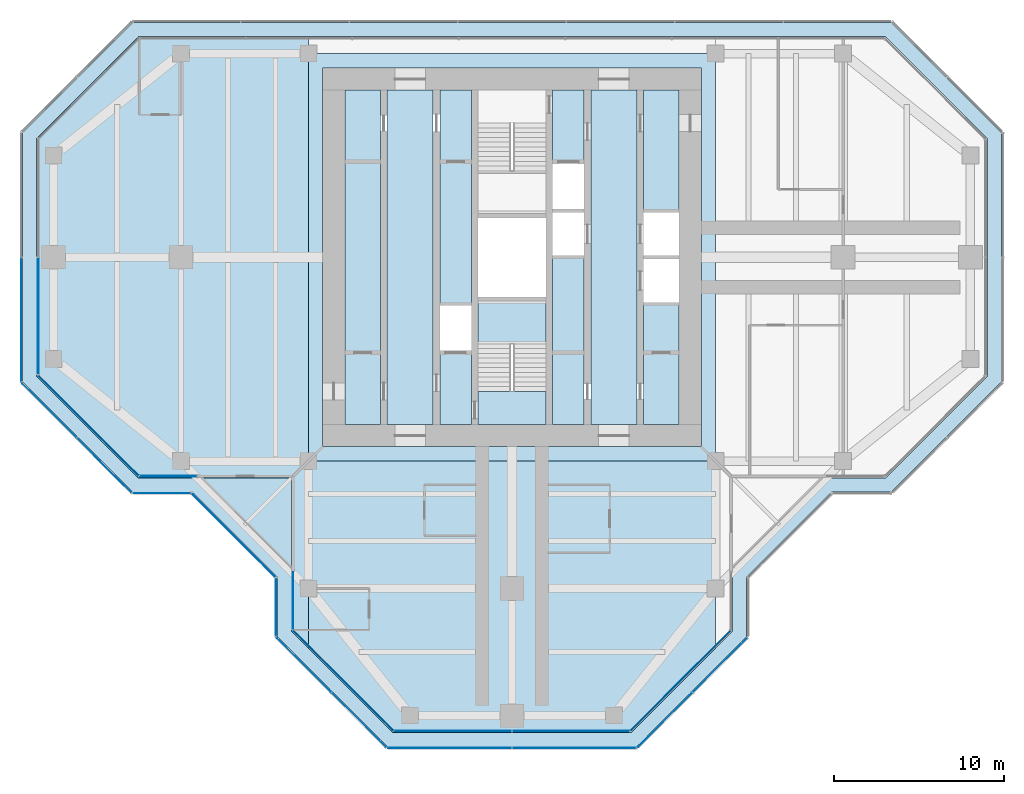
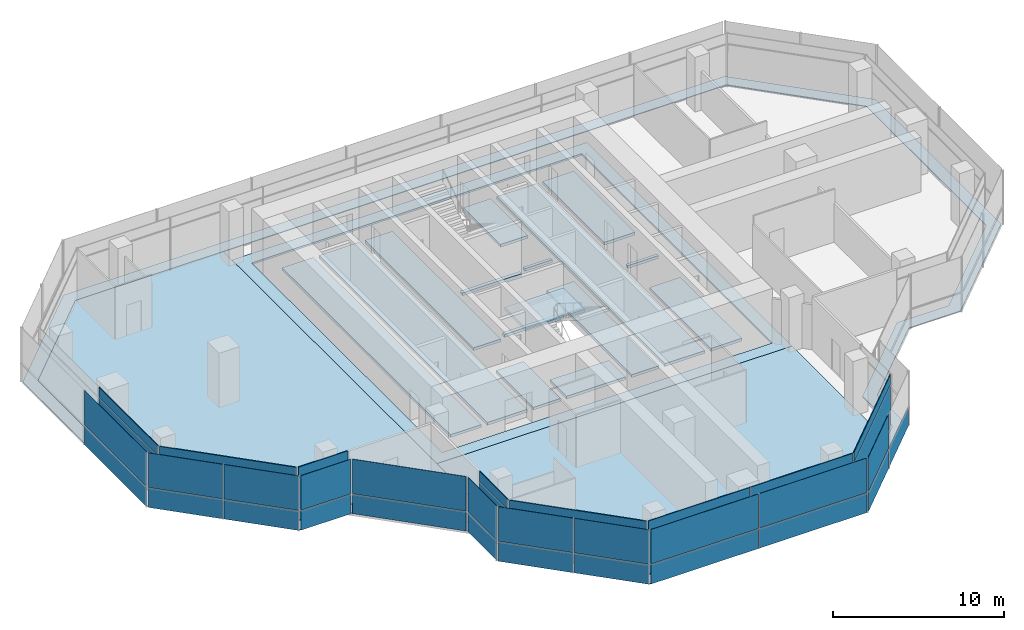
# One storey, part 9 of 15: 40 plates, 7 slabs, 16 elements without a shape of their own.
"""IFC4 building model written with IfcOpenShell, lengths in metres."""

from ifc_helpers import new_model, si_unit, direction, frame, origin, origin_2d, place, context, subcontext, project, spatial, polyline, rectangle, outline, extrude, material, layer, layer_set, type_object, element, aggregate, save


model = new_model("IFC4")

# Units and contexts
model_context = context("Model", 3, precision=1e-05, world=origin(), true_north=direction((0.0, 1.0)))
body_context = subcontext(model_context, "Body", "Model", "MODEL_VIEW")
ifc_project = project(units=[si_unit("LENGTHUNIT", "METRE"), si_unit("AREAUNIT", "SQUARE_METRE"), si_unit("VOLUMEUNIT", "CUBIC_METRE"), si_unit("PLANEANGLEUNIT", "RADIAN"), si_unit("MASSUNIT", "GRAM", prefix="KILO")], contexts=[model_context])

# Site, building, storey
site_placement = place(None, origin())
site = spatial("IfcSite", under=ifc_project, at=site_placement, CompositionType="ELEMENT")
building_placement = place(site_placement, origin())
building = spatial("IfcBuilding", under=site, at=building_placement, Name="Mizan Broadcast Tower", CompositionType="ELEMENT")
storey_placement = place(building_placement, frame((0.0, 0.0, 275.10009765625)))
storey = spatial("IfcBuildingStorey", under=building, at=storey_placement, Name="L65", CompositionType="ELEMENT", Elevation=275.10009765625)

# Plate
ifc_material_1 = material(Name="Aluminium grating", Category="aluminium")
ifc_layer_1 = layer(ifc_material_1, 0.050048828125)
ifc_layer_set_1 = layer_set([ifc_layer_1], Name="Aluminium grating")
plate_type_1 = type_object("IfcPlateType", Name="CAVITY GRATING", PredefinedType="USERDEFINED", material=ifc_layer_set_1)
plate_1_placement = place(storey_placement, frame((0.0, 0.0, -0.050048828125)))
element("IfcPlate", 1, at=plate_1_placement, inside=storey, type_object=plate_type_1, Name="Cavity grating L65", ObjectType="GRATING", PredefinedType="USERDEFINED", context=body_context, shape_type="SweptSolid", body=[
    extrude(outline(polyline([(-22.339599609375, 13.820068359375), (-28.820068359375, 7.339599609375), (-28.820068359375, -7.339599609375), (-22.339599609375, -13.820068359375), (-18.839599609375, -13.820068359375), (-13.820068359375, -18.839599609375), (-13.820068359375, -22.339599609375), (-7.339599609375, -28.820068359375), (7.339599609375, -28.820068359375), (13.820068359375, -22.339599609375), (13.820068359375, -18.839599609375), (18.839599609375, -13.820068359375), (22.339599609375, -13.820068359375), (28.820068359375, -7.339599609375), (28.820068359375, 7.339599609375), (22.339599609375, 13.820068359375), (-22.339599609375, 13.820068359375)]), holes=[polyline([(-18.5, -13.0), (-22.0, -13.0), (-28.0, -7.0), (-28.0, 7.0), (-22.0, 13.0), (22.0, 13.0), (28.0, 7.0), (28.0, -7.0), (22.0, -13.0), (18.5, -13.0), (13.0, -18.5), (13.0, -22.0), (7.0, -28.0), (-7.0, -28.0), (-13.0, -22.0), (-13.0, -18.5), (-18.5, -13.0)])]), origin(), (0.0, 0.0, 1.0), 0.050048828125),
])

# Slabs
ifc_material_2 = material(Name="Concrete C32/40", Category="concrete")
ifc_layer_2 = layer(ifc_material_2, 0.1298828125)
ifc_layer_set_2 = layer_set([ifc_layer_2], Name="Concrete C32/40")
slab_type_1 = type_object("IfcSlabType", Name="COMPOSITE DECK SLAB 130", PredefinedType="FLOOR", material=ifc_layer_set_2)
slab_1_placement = place(storey_placement, frame((0.0, 0.0, -0.130126953125)))
element("IfcSlab", 2, at=slab_1_placement, inside=storey, type_object=slab_type_1, Name="Floor slab L65 centre", PredefinedType="FLOOR", context=body_context, shape_type="SweptSolid", body=[
    extrude(outline(polyline([(-12.0, -12.0), (12.0, -12.0), (12.0, 12.0), (-12.0, 12.0), (-12.0, -12.0)]), holes=[polyline([(-11.14990234375, 11.14990234375), (11.14990234375, 11.14990234375), (11.14990234375, -11.14990234375), (-11.14990234375, -11.14990234375), (-11.14990234375, 11.14990234375)])]), origin(), (0.0, 0.0, 1.0), 0.130126953125),
])
slab_2_placement = place(storey_placement, frame((0.0, 0.0, -0.130126953125)))
element("IfcSlab", 3, at=slab_2_placement, inside=storey, type_object=slab_type_1, Name="Floor slab L65 west arm", PredefinedType="FLOOR", context=body_context, shape_type="SweptSolid", body=[
    extrude(outline(polyline([(-13.0, -22.0), (-12.0, -23.0), (-12.0, 13.0), (-13.0, 13.0), (-22.0, 13.0), (-28.0, 7.0), (-28.0, -7.0), (-22.0, -13.0), (-13.0, -13.0), (-13.0, -22.0)])), origin(), (0.0, 0.0, 1.0), 0.130126953125),
])
slab_3_placement = place(storey_placement, frame((0.0, 0.0, -0.130126953125)))
element("IfcSlab", 4, at=slab_3_placement, inside=storey, type_object=slab_type_1, Name="Floor slab L65 south arm", PredefinedType="FLOOR", context=body_context, shape_type="SweptSolid", body=[
    extrude(outline(polyline([(7.0, -28.0), (12.0, -23.0), (12.0, -12.0), (-12.0, -12.0), (-12.0, -23.0), (-7.0, -28.0), (7.0, -28.0)])), origin(), (0.0, 0.0, 1.0), 0.130126953125),
])
ifc_material_3 = material(Name="Concrete C40/50", Category="concrete")
ifc_layer_3 = layer(ifc_material_3, 0.199951171875)
ifc_layer_set_3 = layer_set([ifc_layer_3], Name="Concrete C40/50")
slab_type_2 = type_object("IfcSlabType", Name="CORE FLOOR 200", PredefinedType="FLOOR", material=ifc_layer_set_3)
slab_4_placement = place(storey_placement, frame((0.0, 0.0, -0.2001953125)))
element("IfcSlab", 5, at=slab_4_placement, inside=storey, type_object=slab_type_2, Name="Core floor L65", PredefinedType="FLOOR", context=body_context, shape_type="SweptSolid", body=[
    extrude(outline(polyline([(-9.85009765625, -9.85009765625), (-7.75, -9.85009765625), (-7.75, 9.85009765625), (-9.85009765625, 9.85009765625), (-9.85009765625, -9.85009765625)])), origin(), (0.0, 0.0, 1.0), 0.2001953125),
    extrude(outline(polyline([(-4.64990234375, 9.85009765625), (-7.35009765625, 9.85009765625), (-7.35009765625, -9.85009765625), (-4.64990234375, -9.85009765625), (-4.64990234375, 9.85009765625)])), origin(), (0.0, 0.0, 1.0), 0.2001953125),
    extrude(outline(polyline([(-4.25, -5.5), (-4.25, -9.85009765625), (-2.39990234375, -9.85009765625), (-2.39990234375, -5.5), (-4.25, -5.5)])), origin(), (0.0, 0.0, 1.0), 0.2001953125),
    extrude(outline(polyline([(-4.25, -2.85009765625), (-2.39990234375, -2.85009765625), (-2.39990234375, 9.85009765625), (-4.25, 9.85009765625), (-4.25, -2.85009765625)])), origin(), (0.0, 0.0, 1.0), 0.2001953125),
    extrude(outline(polyline([(2.0, -2.324951171875), (-2.0, -2.324951171875), (-2.0, -2.574951171875), (2.0, -2.574951171875), (2.0, -2.324951171875)])), origin(), (0.0, 0.0, 1.0), 0.2001953125),
    extrude(outline(polyline([(2.0, 2.574951171875), (-2.0, 2.574951171875), (-2.0, 2.324951171875), (2.0, 2.324951171875), (2.0, 2.574951171875)])), origin(), (0.0, 0.0, 1.0), 0.2001953125),
    extrude(outline(polyline([(4.25, -9.85009765625), (4.25, 0.10009765625), (2.39990234375, 0.10009765625), (2.39990234375, -9.85009765625), (4.25, -9.85009765625)])), origin(), (0.0, 0.0, 1.0), 0.2001953125),
    extrude(outline(polyline([(4.25, 2.64990234375), (4.25, 2.85009765625), (2.39990234375, 2.85009765625), (2.39990234375, 2.64990234375), (4.25, 2.64990234375)])), origin(), (0.0, 0.0, 1.0), 0.2001953125),
    extrude(outline(polyline([(4.25, 5.5), (4.25, 9.85009765625), (2.39990234375, 9.85009765625), (2.39990234375, 5.5), (4.25, 5.5)])), origin(), (0.0, 0.0, 1.0), 0.2001953125),
    extrude(outline(polyline([(4.64990234375, 9.85009765625), (4.64990234375, -9.85009765625), (7.35009765625, -9.85009765625), (7.35009765625, 9.85009765625), (4.64990234375, 9.85009765625)])), origin(), (0.0, 0.0, 1.0), 0.2001953125),
    extrude(outline(polyline([(9.85009765625, -9.85009765625), (9.85009765625, -2.64990234375), (7.75, -2.64990234375), (7.75, -9.85009765625), (9.85009765625, -9.85009765625)])), origin(), (0.0, 0.0, 1.0), 0.2001953125),
    extrude(outline(polyline([(9.85009765625, -0.10009765625), (9.85009765625, 0.10009765625), (7.75, 0.10009765625), (7.75, -0.10009765625), (9.85009765625, -0.10009765625)])), origin(), (0.0, 0.0, 1.0), 0.2001953125),
    extrude(outline(polyline([(7.75, 9.85009765625), (7.75, 2.64990234375), (9.85009765625, 2.64990234375), (9.85009765625, 9.85009765625), (7.75, 9.85009765625)])), origin(), (0.0, 0.0, 1.0), 0.2001953125),
])

# Curtain wall, plate
ifc_material_4 = material(Name="Aluminium framed glazing", Category="aluminium")
curtain_wall_type_1 = type_object("IfcCurtainWallType", Name="INNER SKIN TOP ZONE", PredefinedType="USERDEFINED", material=ifc_material_4)
curtain_wall_1_placement = place(storey_placement, origin())
curtain_wall_1 = element("IfcCurtainWall", 6, at=curtain_wall_1_placement, inside=storey, type_object=curtain_wall_type_1, Name="Inner skin top zone L65 W end", ObjectType="INNER SKIN TOP ZONE", PredefinedType="USERDEFINED")
ifc_material_5 = material(Name="Double glazing, clear low-e", Category="glass")
ifc_layer_4 = layer(ifc_material_5, 0.028076171875)
ifc_layer_set_4 = layer_set([ifc_layer_4], Name="Double glazing, clear low-e")
plate_type_2 = type_object("IfcPlateType", Name="INNER SKIN GLAZING UNIT", PredefinedType="CURTAIN_PANEL", material=ifc_layer_set_4)
plate_2_placement = place(storey_placement, frame((-27.89990234375, -3.46435546875, 0.0), z_axis=(0.0, 0.0, 1.0), x_axis=(0.0, -1.0, 0.0)))
plate_2 = element("IfcPlate", 7, at=plate_2_placement, type_object=plate_type_2, Name="Inner skin top zone L65 W end panel 2.1", PredefinedType="CURTAIN_PANEL", context=body_context, shape_type="SweptSolid", body=[
    extrude(rectangle(XDim=6.86865234375, YDim=0.028076171875, at=origin_2d()), origin(), (0.0, 0.0, 1.0), 3.0),
])

curtain_wall_2_placement = place(storey_placement, origin())
curtain_wall_2 = element("IfcCurtainWall", 8, at=curtain_wall_2_placement, inside=storey, type_object=curtain_wall_type_1, Name="Inner skin top zone L65 W chamfer", ObjectType="INNER SKIN TOP ZONE", PredefinedType="USERDEFINED")
plate_3_placement = place(storey_placement, frame((-24.92919921875, -9.92919921875, 0.0), z_axis=(0.0, 0.0, 1.0), x_axis=(0.707106781187, -0.707106781187, 0.0)))
plate_3 = element("IfcPlate", 9, at=plate_3_placement, type_object=plate_type_2, Name="Inner skin top zone L65 W chamfer panel 1.1", PredefinedType="CURTAIN_PANEL", context=body_context, shape_type="SweptSolid", body=[
    extrude(rectangle(XDim=8.282470703125, YDim=0.028076171875, at=origin_2d()), origin(), (0.0, 0.0, 1.0), 3.0),
])

curtain_wall_3_placement = place(storey_placement, origin())
curtain_wall_3 = element("IfcCurtainWall", 10, at=curtain_wall_3_placement, inside=storey, type_object=curtain_wall_type_1, Name="Inner skin top zone L65 W side", ObjectType="INNER SKIN TOP ZONE", PredefinedType="USERDEFINED")
plate_4_placement = place(storey_placement, frame((-20.229248046875, -12.89990234375, 0.0), z_axis=(0.0, 0.0, 1.0), x_axis=(1.0, 0.0, 0.0)))
plate_4 = element("IfcPlate", 11, at=plate_4_placement, type_object=plate_type_2, Name="Inner skin top zone L65 W side panel 1.1", PredefinedType="CURTAIN_PANEL", context=body_context, shape_type="SweptSolid", body=[
    extrude(rectangle(XDim=3.338623046875, YDim=0.028076171875, at=origin_2d()), origin(), (0.0, 0.0, 1.0), 3.0),
])

curtain_wall_4_placement = place(storey_placement, origin())
curtain_wall_4 = element("IfcCurtainWall", 12, at=curtain_wall_4_placement, inside=storey, type_object=curtain_wall_type_1, Name="Inner skin top zone L65 S side", ObjectType="INNER SKIN TOP ZONE", PredefinedType="USERDEFINED")
plate_5_placement = place(storey_placement, frame((-12.89990234375, -20.229248046875, 0.0), z_axis=(0.0, 0.0, 1.0), x_axis=(0.0, -1.0, 0.0)))
plate_5 = element("IfcPlate", 13, at=plate_5_placement, type_object=plate_type_2, Name="Inner skin top zone L65 S side panel 1.1", PredefinedType="CURTAIN_PANEL", context=body_context, shape_type="SweptSolid", body=[
    extrude(rectangle(XDim=3.338623046875, YDim=0.028076171875, at=origin_2d()), origin(), (0.0, 0.0, 1.0), 3.0),
])

curtain_wall_5_placement = place(storey_placement, origin())
curtain_wall_5 = element("IfcCurtainWall", 14, at=curtain_wall_5_placement, inside=storey, type_object=curtain_wall_type_1, Name="Inner skin top zone L65 S chamfer", ObjectType="INNER SKIN TOP ZONE", PredefinedType="USERDEFINED")
plate_6_placement = place(storey_placement, frame((-9.92919921875, -24.92919921875, 0.0), z_axis=(0.0, 0.0, 1.0), x_axis=(0.707106781187, -0.707106781187, 0.0)))
plate_6 = element("IfcPlate", 15, at=plate_6_placement, type_object=plate_type_2, Name="Inner skin top zone L65 S chamfer panel 1.1", PredefinedType="CURTAIN_PANEL", context=body_context, shape_type="SweptSolid", body=[
    extrude(rectangle(XDim=8.282470703125, YDim=0.028076171875, at=origin_2d()), origin(), (0.0, 0.0, 1.0), 3.0),
])

# Curtain wall, plates
curtain_wall_6_placement = place(storey_placement, origin())
curtain_wall_6 = element("IfcCurtainWall", 16, at=curtain_wall_6_placement, inside=storey, type_object=curtain_wall_type_1, Name="Inner skin top zone L65 S end", ObjectType="INNER SKIN TOP ZONE", PredefinedType="USERDEFINED")
plate_7_placement = place(storey_placement, frame((-3.46435546875, -27.89990234375, 0.0), z_axis=(0.0, 0.0, 1.0), x_axis=(1.0, 0.0, 0.0)))
plate_7 = element("IfcPlate", 17, at=plate_7_placement, type_object=plate_type_2, Name="Inner skin top zone L65 S end panel 1.1", PredefinedType="CURTAIN_PANEL", context=body_context, shape_type="SweptSolid", body=[
    extrude(rectangle(XDim=6.86865234375, YDim=0.028076171875, at=origin_2d()), origin(), (0.0, 0.0, 1.0), 3.0),
])
plate_8_placement = place(storey_placement, frame((3.46435546875, -27.89990234375, 0.0), z_axis=(0.0, 0.0, 1.0), x_axis=(1.0, 0.0, 0.0)))
plate_8 = element("IfcPlate", 18, at=plate_8_placement, type_object=plate_type_2, Name="Inner skin top zone L65 S end panel 2.1", PredefinedType="CURTAIN_PANEL", context=body_context, shape_type="SweptSolid", body=[
    extrude(rectangle(XDim=6.86865234375, YDim=0.028076171875, at=origin_2d()), origin(), (0.0, 0.0, 1.0), 3.0),
])

# Curtain wall, plate
curtain_wall_7_placement = place(storey_placement, origin())
curtain_wall_7 = element("IfcCurtainWall", 19, at=curtain_wall_7_placement, inside=storey, type_object=curtain_wall_type_1, Name="Inner skin top zone L65 S chamfer", ObjectType="INNER SKIN TOP ZONE", PredefinedType="USERDEFINED")
plate_9_placement = place(storey_placement, frame((9.92919921875, -24.92919921875, 0.0), z_axis=(0.0, 0.0, 1.0), x_axis=(0.707106781187, 0.707106781187, 0.0)))
plate_9 = element("IfcPlate", 20, at=plate_9_placement, type_object=plate_type_2, Name="Inner skin top zone L65 S chamfer panel 1.1", PredefinedType="CURTAIN_PANEL", context=body_context, shape_type="SweptSolid", body=[
    extrude(rectangle(XDim=8.282470703125, YDim=0.028076171875, at=origin_2d()), origin(), (0.0, 0.0, 1.0), 3.0),
])

# Plate
ifc_material_6 = material(Name="Insulated aluminium spandrel panel, pale anodised", Category="aluminium")
ifc_layer_5 = layer(ifc_material_6, 0.050048828125)
ifc_layer_set_5 = layer_set([ifc_layer_5], Name="Insulated aluminium spandrel panel, pale anodised")
plate_type_3 = type_object("IfcPlateType", Name="INNER SKIN SPANDREL PANEL", PredefinedType="CURTAIN_PANEL", material=ifc_layer_set_5)
plate_10_placement = place(storey_placement, frame((-27.89990234375, -3.46435546875, 3.059814453125), z_axis=(0.0, 0.0, 1.0), x_axis=(0.0, -1.0, 0.0)))
plate_10 = element("IfcPlate", 21, at=plate_10_placement, type_object=plate_type_3, Name="Inner skin top zone L65 W end panel 2.2", PredefinedType="CURTAIN_PANEL", context=body_context, shape_type="SweptSolid", body=[
    extrude(rectangle(XDim=6.86865234375, YDim=0.050048828125, at=origin_2d()), origin(), (0.0, 0.0, 1.0), 0.7099609375),
])

aggregate(curtain_wall_1, [plate_2, plate_10])

plate_11_placement = place(storey_placement, frame((-24.92919921875, -9.92919921875, 3.059814453125), z_axis=(0.0, 0.0, 1.0), x_axis=(0.707106781187, -0.707106781187, 0.0)))
plate_11 = element("IfcPlate", 22, at=plate_11_placement, type_object=plate_type_3, Name="Inner skin top zone L65 W chamfer panel 1.2", PredefinedType="CURTAIN_PANEL", context=body_context, shape_type="SweptSolid", body=[
    extrude(rectangle(XDim=8.282470703125, YDim=0.050048828125, at=origin_2d()), origin(), (0.0, 0.0, 1.0), 0.7099609375),
])

aggregate(curtain_wall_2, [plate_3, plate_11])

plate_12_placement = place(storey_placement, frame((-20.229248046875, -12.89990234375, 3.059814453125), z_axis=(0.0, 0.0, 1.0), x_axis=(1.0, 0.0, 0.0)))
plate_12 = element("IfcPlate", 23, at=plate_12_placement, type_object=plate_type_3, Name="Inner skin top zone L65 W side panel 1.2", PredefinedType="CURTAIN_PANEL", context=body_context, shape_type="SweptSolid", body=[
    extrude(rectangle(XDim=3.338623046875, YDim=0.050048828125, at=origin_2d()), origin(), (0.0, 0.0, 1.0), 0.7099609375),
])

aggregate(curtain_wall_3, [plate_4, plate_12])

plate_13_placement = place(storey_placement, frame((-12.89990234375, -20.229248046875, 3.059814453125), z_axis=(0.0, 0.0, 1.0), x_axis=(0.0, -1.0, 0.0)))
plate_13 = element("IfcPlate", 24, at=plate_13_placement, type_object=plate_type_3, Name="Inner skin top zone L65 S side panel 1.2", PredefinedType="CURTAIN_PANEL", context=body_context, shape_type="SweptSolid", body=[
    extrude(rectangle(XDim=3.338623046875, YDim=0.050048828125, at=origin_2d()), origin(), (0.0, 0.0, 1.0), 0.7099609375),
])

aggregate(curtain_wall_4, [plate_5, plate_13])

plate_14_placement = place(storey_placement, frame((-9.92919921875, -24.92919921875, 3.059814453125), z_axis=(0.0, 0.0, 1.0), x_axis=(0.707106781187, -0.707106781187, 0.0)))
plate_14 = element("IfcPlate", 25, at=plate_14_placement, type_object=plate_type_3, Name="Inner skin top zone L65 S chamfer panel 1.2", PredefinedType="CURTAIN_PANEL", context=body_context, shape_type="SweptSolid", body=[
    extrude(rectangle(XDim=8.282470703125, YDim=0.050048828125, at=origin_2d()), origin(), (0.0, 0.0, 1.0), 0.7099609375),
])

aggregate(curtain_wall_5, [plate_6, plate_14])

plate_15_placement = place(storey_placement, frame((-3.46435546875, -27.89990234375, 3.059814453125), z_axis=(0.0, 0.0, 1.0), x_axis=(1.0, 0.0, 0.0)))
plate_15 = element("IfcPlate", 26, at=plate_15_placement, type_object=plate_type_3, Name="Inner skin top zone L65 S end panel 1.2", PredefinedType="CURTAIN_PANEL", context=body_context, shape_type="SweptSolid", body=[
    extrude(rectangle(XDim=6.86865234375, YDim=0.050048828125, at=origin_2d()), origin(), (0.0, 0.0, 1.0), 0.7099609375),
])

plate_16_placement = place(storey_placement, frame((3.46435546875, -27.89990234375, 3.059814453125), z_axis=(0.0, 0.0, 1.0), x_axis=(1.0, 0.0, 0.0)))
plate_16 = element("IfcPlate", 27, at=plate_16_placement, type_object=plate_type_3, Name="Inner skin top zone L65 S end panel 2.2", PredefinedType="CURTAIN_PANEL", context=body_context, shape_type="SweptSolid", body=[
    extrude(rectangle(XDim=6.86865234375, YDim=0.050048828125, at=origin_2d()), origin(), (0.0, 0.0, 1.0), 0.7099609375),
])

aggregate(curtain_wall_6, [plate_7, plate_15, plate_8, plate_16])

plate_17_placement = place(storey_placement, frame((9.92919921875, -24.92919921875, 3.059814453125), z_axis=(0.0, 0.0, 1.0), x_axis=(0.707106781187, 0.707106781187, 0.0)))
plate_17 = element("IfcPlate", 28, at=plate_17_placement, type_object=plate_type_3, Name="Inner skin top zone L65 S chamfer panel 1.2", PredefinedType="CURTAIN_PANEL", context=body_context, shape_type="SweptSolid", body=[
    extrude(rectangle(XDim=8.282470703125, YDim=0.050048828125, at=origin_2d()), origin(), (0.0, 0.0, 1.0), 0.7099609375),
])

aggregate(curtain_wall_7, [plate_9, plate_17])

# Curtain wall, plates
ifc_material_7 = material(Name="Aluminium framed glazing", Category="aluminium")
curtain_wall_type_2 = type_object("IfcCurtainWallType", Name="OUTER SKIN", PredefinedType="USERDEFINED", material=ifc_material_7)
curtain_wall_8_placement = place(storey_placement, origin())
curtain_wall_8 = element("IfcCurtainWall", 29, at=curtain_wall_8_placement, inside=storey, type_object=curtain_wall_type_2, Name="Outer skin L65 W chamfer", ObjectType="OUTER SKIN", PredefinedType="USERDEFINED")
ifc_material_8 = material(Name="Laminated clear glass", Category="glass")
ifc_layer_6 = layer(ifc_material_8, 0.02001953125)
ifc_layer_set_6 = layer_set([ifc_layer_6], Name="Laminated clear glass")
plate_type_4 = type_object("IfcPlateType", Name="OUTER SKIN CLEAR GLASS", PredefinedType="CURTAIN_PANEL", material=ifc_layer_set_6)
plate_18_placement = place(storey_placement, frame((-27.254150390625, -9.018798828125, -0.000244140625), z_axis=(0.0, 0.0, 1.0), x_axis=(0.707106781187, -0.707106781187, 0.0)))
plate_18 = element("IfcPlate", 30, at=plate_18_placement, type_object=plate_type_4, Name="Outer skin L65 W chamfer panel 1.1", PredefinedType="CURTAIN_PANEL", context=body_context, shape_type="SweptSolid", body=[
    extrude(rectangle(XDim=4.495361328125, YDim=0.02001953125, at=origin_2d()), origin(), (0.0, 0.0, 1.0), 1.3701171875),
])
plate_19_placement = place(storey_placement, frame((-27.254150390625, -9.018798828125, 1.4296875), z_axis=(0.0, 0.0, 1.0), x_axis=(0.707106781187, -0.707106781187, 0.0)))
plate_19 = element("IfcPlate", 31, at=plate_19_placement, type_object=plate_type_4, Name="Outer skin L65 W chamfer panel 1.2", PredefinedType="CURTAIN_PANEL", context=body_context, shape_type="SweptSolid", body=[
    extrude(rectangle(XDim=4.495361328125, YDim=0.02001953125, at=origin_2d()), origin(), (0.0, 0.0, 1.0), 2.469970703125),
])

curtain_wall_9_placement = place(storey_placement, origin())
curtain_wall_9 = element("IfcCurtainWall", 32, at=curtain_wall_9_placement, inside=storey, type_object=curtain_wall_type_2, Name="Outer skin L65 W side", ObjectType="OUTER SKIN", PredefinedType="USERDEFINED")
plate_20_placement = place(storey_placement, frame((-20.622802734375, -13.89990234375, -0.000244140625), z_axis=(0.0, 0.0, 1.0), x_axis=(1.0, 0.0, 0.0)))
plate_20 = element("IfcPlate", 33, at=plate_20_placement, type_object=plate_type_4, Name="Outer skin L65 W side panel 1.1", PredefinedType="CURTAIN_PANEL", context=body_context, shape_type="SweptSolid", body=[
    extrude(rectangle(XDim=3.340087890625, YDim=0.02001953125, at=origin_2d()), origin(), (0.0, 0.0, 1.0), 1.3701171875),
])
plate_21_placement = place(storey_placement, frame((-20.622802734375, -13.89990234375, 1.4296875), z_axis=(0.0, 0.0, 1.0), x_axis=(1.0, 0.0, 0.0)))
plate_21 = element("IfcPlate", 34, at=plate_21_placement, type_object=plate_type_4, Name="Outer skin L65 W side panel 1.2", PredefinedType="CURTAIN_PANEL", context=body_context, shape_type="SweptSolid", body=[
    extrude(rectangle(XDim=3.340087890625, YDim=0.02001953125, at=origin_2d()), origin(), (0.0, 0.0, 1.0), 2.469970703125),
])
aggregate(curtain_wall_9, [plate_20, plate_21])

curtain_wall_10_placement = place(storey_placement, origin())
curtain_wall_10 = element("IfcCurtainWall", 35, at=curtain_wall_10_placement, inside=storey, type_object=curtain_wall_type_2, Name="Outer skin L65 W chamfer", ObjectType="OUTER SKIN", PredefinedType="USERDEFINED")
plate_22_placement = place(storey_placement, frame((-16.386474609375, -16.386474609375, -0.000244140625), z_axis=(0.0, 0.0, 1.0), x_axis=(0.707106781187, -0.707106781187, 0.0)))
plate_22 = element("IfcPlate", 36, at=plate_22_placement, type_object=plate_type_4, Name="Outer skin L65 W chamfer panel 1.1", PredefinedType="CURTAIN_PANEL", context=body_context, shape_type="SweptSolid", body=[
    extrude(rectangle(XDim=6.87255859375, YDim=0.02001953125, at=origin_2d()), origin(), (0.0, 0.0, 1.0), 1.3701171875),
])
plate_23_placement = place(storey_placement, frame((-16.386474609375, -16.386474609375, 1.4296875), z_axis=(0.0, 0.0, 1.0), x_axis=(0.707106781187, -0.707106781187, 0.0)))
plate_23 = element("IfcPlate", 37, at=plate_23_placement, type_object=plate_type_4, Name="Outer skin L65 W chamfer panel 1.2", PredefinedType="CURTAIN_PANEL", context=body_context, shape_type="SweptSolid", body=[
    extrude(rectangle(XDim=6.87255859375, YDim=0.02001953125, at=origin_2d()), origin(), (0.0, 0.0, 1.0), 2.469970703125),
])
aggregate(curtain_wall_10, [plate_22, plate_23])

curtain_wall_11_placement = place(storey_placement, origin())
curtain_wall_11 = element("IfcCurtainWall", 38, at=curtain_wall_11_placement, inside=storey, type_object=curtain_wall_type_2, Name="Outer skin L65 S side", ObjectType="OUTER SKIN", PredefinedType="USERDEFINED")
plate_24_placement = place(storey_placement, frame((-13.89990234375, -20.622802734375, -0.000244140625), z_axis=(0.0, 0.0, 1.0), x_axis=(0.0, -1.0, 0.0)))
plate_24 = element("IfcPlate", 39, at=plate_24_placement, type_object=plate_type_4, Name="Outer skin L65 S side panel 1.1", PredefinedType="CURTAIN_PANEL", context=body_context, shape_type="SweptSolid", body=[
    extrude(rectangle(XDim=3.340087890625, YDim=0.02001953125, at=origin_2d()), origin(), (0.0, 0.0, 1.0), 1.3701171875),
])
plate_25_placement = place(storey_placement, frame((-13.89990234375, -20.622802734375, 1.4296875), z_axis=(0.0, 0.0, 1.0), x_axis=(0.0, -1.0, 0.0)))
plate_25 = element("IfcPlate", 40, at=plate_25_placement, type_object=plate_type_4, Name="Outer skin L65 S side panel 1.2", PredefinedType="CURTAIN_PANEL", context=body_context, shape_type="SweptSolid", body=[
    extrude(rectangle(XDim=3.340087890625, YDim=0.02001953125, at=origin_2d()), origin(), (0.0, 0.0, 1.0), 2.469970703125),
])
aggregate(curtain_wall_11, [plate_24, plate_25])

curtain_wall_12_placement = place(storey_placement, origin())
curtain_wall_12 = element("IfcCurtainWall", 41, at=curtain_wall_12_placement, inside=storey, type_object=curtain_wall_type_2, Name="Outer skin L65 S chamfer", ObjectType="OUTER SKIN", PredefinedType="USERDEFINED")
plate_26_placement = place(storey_placement, frame((-12.254150390625, -24.018798828125, -0.000244140625), z_axis=(0.0, 0.0, 1.0), x_axis=(0.707106781187, -0.707106781187, 0.0)))
plate_26 = element("IfcPlate", 42, at=plate_26_placement, type_object=plate_type_4, Name="Outer skin L65 S chamfer panel 1.1", PredefinedType="CURTAIN_PANEL", context=body_context, shape_type="SweptSolid", body=[
    extrude(rectangle(XDim=4.495361328125, YDim=0.02001953125, at=origin_2d()), origin(), (0.0, 0.0, 1.0), 1.3701171875),
])
plate_27_placement = place(storey_placement, frame((-12.254150390625, -24.018798828125, 1.4296875), z_axis=(0.0, 0.0, 1.0), x_axis=(0.707106781187, -0.707106781187, 0.0)))
plate_27 = element("IfcPlate", 43, at=plate_27_placement, type_object=plate_type_4, Name="Outer skin L65 S chamfer panel 1.2", PredefinedType="CURTAIN_PANEL", context=body_context, shape_type="SweptSolid", body=[
    extrude(rectangle(XDim=4.495361328125, YDim=0.02001953125, at=origin_2d()), origin(), (0.0, 0.0, 1.0), 2.469970703125),
])

curtain_wall_13_placement = place(storey_placement, origin())
curtain_wall_13 = element("IfcCurtainWall", 44, at=curtain_wall_13_placement, inside=storey, type_object=curtain_wall_type_2, Name="Outer skin L65 S end", ObjectType="OUTER SKIN", PredefinedType="USERDEFINED")
plate_28_placement = place(storey_placement, frame((-3.66650390625, -28.89990234375, -0.000244140625), z_axis=(0.0, 0.0, 1.0), x_axis=(1.0, 0.0, 0.0)))
plate_28 = element("IfcPlate", 45, at=plate_28_placement, type_object=plate_type_4, Name="Outer skin L65 S end panel 1.1", PredefinedType="CURTAIN_PANEL", context=body_context, shape_type="SweptSolid", body=[
    extrude(rectangle(XDim=7.252685546875, YDim=0.02001953125, at=origin_2d()), origin(), (0.0, 0.0, 1.0), 1.3701171875),
])
plate_29_placement = place(storey_placement, frame((-3.66650390625, -28.89990234375, 1.4296875), z_axis=(0.0, 0.0, 1.0), x_axis=(1.0, 0.0, 0.0)))
plate_29 = element("IfcPlate", 46, at=plate_29_placement, type_object=plate_type_4, Name="Outer skin L65 S end panel 1.2", PredefinedType="CURTAIN_PANEL", context=body_context, shape_type="SweptSolid", body=[
    extrude(rectangle(XDim=7.252685546875, YDim=0.02001953125, at=origin_2d()), origin(), (0.0, 0.0, 1.0), 2.469970703125),
])

curtain_wall_14_placement = place(storey_placement, origin())
curtain_wall_14 = element("IfcCurtainWall", 47, at=curtain_wall_14_placement, inside=storey, type_object=curtain_wall_type_2, Name="Outer skin L65 S chamfer", ObjectType="OUTER SKIN", PredefinedType="USERDEFINED")
plate_30_placement = place(storey_placement, frame((9.018798828125, -27.254150390625, -0.000244140625), z_axis=(0.0, 0.0, 1.0), x_axis=(0.707106781187, 0.707106781187, 0.0)))
plate_30 = element("IfcPlate", 48, at=plate_30_placement, type_object=plate_type_4, Name="Outer skin L65 S chamfer panel 1.1", PredefinedType="CURTAIN_PANEL", context=body_context, shape_type="SweptSolid", body=[
    extrude(rectangle(XDim=4.495361328125, YDim=0.02001953125, at=origin_2d()), origin(), (0.0, 0.0, 1.0), 1.3701171875),
])
plate_31_placement = place(storey_placement, frame((9.018798828125, -27.254150390625, 1.4296875), z_axis=(0.0, 0.0, 1.0), x_axis=(0.707106781187, 0.707106781187, 0.0)))
plate_31 = element("IfcPlate", 49, at=plate_31_placement, type_object=plate_type_4, Name="Outer skin L65 S chamfer panel 1.2", PredefinedType="CURTAIN_PANEL", context=body_context, shape_type="SweptSolid", body=[
    extrude(rectangle(XDim=4.495361328125, YDim=0.02001953125, at=origin_2d()), origin(), (0.0, 0.0, 1.0), 2.469970703125),
])

# Plate
ifc_material_9 = material(Name="Perforated aluminium, pale anodised", Category="aluminium")
ifc_layer_7 = layer(ifc_material_9, 0.011962890625)
ifc_layer_set_7 = layer_set([ifc_layer_7], Name="Perforated aluminium, pale anodised")
plate_type_5 = type_object("IfcPlateType", Name="OUTER SKIN PERFORATED SCREEN", PredefinedType="USERDEFINED", material=ifc_layer_set_7)
plate_32_placement = place(storey_placement, frame((-24.018798828125, -12.254150390625, -0.000244140625), z_axis=(0.0, 0.0, 1.0), x_axis=(0.707106781187, -0.707106781187, 0.0)))
plate_32 = element("IfcPlate", 50, at=plate_32_placement, type_object=plate_type_5, Name="Outer skin L65 W chamfer panel 2.1", ObjectType="SCREEN", PredefinedType="USERDEFINED", context=body_context, shape_type="SweptSolid", body=[
    extrude(rectangle(XDim=4.495361328125, YDim=0.011962890625, at=origin_2d()), origin(), (0.0, 0.0, 1.0), 1.3701171875),
])

plate_33_placement = place(storey_placement, frame((-24.018798828125, -12.254150390625, 1.4296875), z_axis=(0.0, 0.0, 1.0), x_axis=(0.707106781187, -0.707106781187, 0.0)))
plate_33 = element("IfcPlate", 51, at=plate_33_placement, type_object=plate_type_5, Name="Outer skin L65 W chamfer panel 2.2", ObjectType="SCREEN", PredefinedType="USERDEFINED", context=body_context, shape_type="SweptSolid", body=[
    extrude(rectangle(XDim=4.495361328125, YDim=0.011962890625, at=origin_2d()), origin(), (0.0, 0.0, 1.0), 2.469970703125),
])

aggregate(curtain_wall_8, [plate_18, plate_19, plate_32, plate_33])

plate_34_placement = place(storey_placement, frame((-9.018798828125, -27.254150390625, -0.000244140625), z_axis=(0.0, 0.0, 1.0), x_axis=(0.707106781187, -0.707106781187, 0.0)))
plate_34 = element("IfcPlate", 52, at=plate_34_placement, type_object=plate_type_5, Name="Outer skin L65 S chamfer panel 2.1", ObjectType="SCREEN", PredefinedType="USERDEFINED", context=body_context, shape_type="SweptSolid", body=[
    extrude(rectangle(XDim=4.495361328125, YDim=0.011962890625, at=origin_2d()), origin(), (0.0, 0.0, 1.0), 1.3701171875),
])

plate_35_placement = place(storey_placement, frame((-9.018798828125, -27.254150390625, 1.4296875), z_axis=(0.0, 0.0, 1.0), x_axis=(0.707106781187, -0.707106781187, 0.0)))
plate_35 = element("IfcPlate", 53, at=plate_35_placement, type_object=plate_type_5, Name="Outer skin L65 S chamfer panel 2.2", ObjectType="SCREEN", PredefinedType="USERDEFINED", context=body_context, shape_type="SweptSolid", body=[
    extrude(rectangle(XDim=4.495361328125, YDim=0.011962890625, at=origin_2d()), origin(), (0.0, 0.0, 1.0), 2.469970703125),
])

aggregate(curtain_wall_12, [plate_26, plate_27, plate_34, plate_35])

plate_36_placement = place(storey_placement, frame((3.66650390625, -28.89990234375, -0.000244140625), z_axis=(0.0, 0.0, 1.0), x_axis=(1.0, 0.0, 0.0)))
plate_36 = element("IfcPlate", 54, at=plate_36_placement, type_object=plate_type_5, Name="Outer skin L65 S end panel 2.1", ObjectType="SCREEN", PredefinedType="USERDEFINED", context=body_context, shape_type="SweptSolid", body=[
    extrude(rectangle(XDim=7.252685546875, YDim=0.011962890625, at=origin_2d()), origin(), (0.0, 0.0, 1.0), 1.3701171875),
])

plate_37_placement = place(storey_placement, frame((3.66650390625, -28.89990234375, 1.4296875), z_axis=(0.0, 0.0, 1.0), x_axis=(1.0, 0.0, 0.0)))
plate_37 = element("IfcPlate", 55, at=plate_37_placement, type_object=plate_type_5, Name="Outer skin L65 S end panel 2.2", ObjectType="SCREEN", PredefinedType="USERDEFINED", context=body_context, shape_type="SweptSolid", body=[
    extrude(rectangle(XDim=7.252685546875, YDim=0.011962890625, at=origin_2d()), origin(), (0.0, 0.0, 1.0), 2.469970703125),
])

aggregate(curtain_wall_13, [plate_28, plate_29, plate_36, plate_37])

plate_38_placement = place(storey_placement, frame((12.254150390625, -24.018798828125, -0.000244140625), z_axis=(0.0, 0.0, 1.0), x_axis=(0.707106781187, 0.707106781187, 0.0)))
plate_38 = element("IfcPlate", 56, at=plate_38_placement, type_object=plate_type_5, Name="Outer skin L65 S chamfer panel 2.1", ObjectType="SCREEN", PredefinedType="USERDEFINED", context=body_context, shape_type="SweptSolid", body=[
    extrude(rectangle(XDim=4.495361328125, YDim=0.011962890625, at=origin_2d()), origin(), (0.0, 0.0, 1.0), 1.3701171875),
])

aggregate(curtain_wall_14, [plate_30, plate_31, plate_38])

# Curtain wall, plates
curtain_wall_15_placement = place(storey_placement, origin())
curtain_wall_15 = element("IfcCurtainWall", 57, at=curtain_wall_15_placement, inside=storey, type_object=curtain_wall_type_2, Name="Outer skin L65 W end", ObjectType="OUTER SKIN", PredefinedType="USERDEFINED")
plate_39_placement = place(storey_placement, frame((-28.89990234375, -3.66650390625, -0.000244140625), z_axis=(0.0, 0.0, 1.0), x_axis=(0.0, -1.0, 0.0)))
plate_39 = element("IfcPlate", 58, at=plate_39_placement, type_object=plate_type_5, Name="Outer skin L65 W end panel 2.1", ObjectType="SCREEN", PredefinedType="USERDEFINED", context=body_context, shape_type="SweptSolid", body=[
    extrude(rectangle(XDim=7.252685546875, YDim=0.011962890625, at=origin_2d()), origin(), (0.0, 0.0, 1.0), 1.3701171875),
])
plate_40_placement = place(storey_placement, frame((-28.89990234375, -3.66650390625, 1.4296875), z_axis=(0.0, 0.0, 1.0), x_axis=(0.0, -1.0, 0.0)))
plate_40 = element("IfcPlate", 59, at=plate_40_placement, type_object=plate_type_5, Name="Outer skin L65 W end panel 2.2", ObjectType="SCREEN", PredefinedType="USERDEFINED", context=body_context, shape_type="SweptSolid", body=[
    extrude(rectangle(XDim=7.252685546875, YDim=0.011962890625, at=origin_2d()), origin(), (0.0, 0.0, 1.0), 2.469970703125),
])
aggregate(curtain_wall_15, [plate_39, plate_40])

# Stair, slabs
ifc_material_10 = material(Name="Concrete C40/50", Category="concrete")
stair_type = type_object("IfcStairType", Name="EXIT STAIR", PredefinedType="HALF_TURN_STAIR", material=ifc_material_10)
stair_placement = place(storey_placement, origin())
stair = element("IfcStair", 60, at=stair_placement, inside=storey, type_object=stair_type, Name="Stair A L65", PredefinedType="HALF_TURN_STAIR")
ifc_material_11 = material(Name="Concrete C40/50", Category="concrete")
ifc_layer_8 = layer(ifc_material_11, 0.199951171875)
ifc_layer_set_8 = layer_set([ifc_layer_8], Name="Concrete C40/50")
slab_type_3 = type_object("IfcSlabType", Name="STAIR LANDING 200", PredefinedType="LANDING", material=ifc_layer_set_8)
slab_5_placement = place(storey_placement, frame((0.0, 0.0, -0.2001953125)))
slab_5 = element("IfcSlab", 61, at=slab_5_placement, type_object=slab_type_3, Name="A landing 1", PredefinedType="LANDING", context=body_context, shape_type="SweptSolid", body=[
    extrude(outline(polyline([(-2.0, -9.85009765625), (-2.0, -7.89990234375), (2.0, -7.89990234375), (2.0, -9.85009765625), (-2.0, -9.85009765625)])), origin(), (0.0, 0.0, 1.0), 0.2001953125),
])
slab_6_placement = place(storey_placement, frame((0.0, 0.0, 1.75)))
slab_6 = element("IfcSlab", 62, at=slab_6_placement, type_object=slab_type_3, Name="A landing 2", PredefinedType="LANDING", context=body_context, shape_type="SweptSolid", body=[
    extrude(outline(polyline([(-2.0, -5.10009765625), (-2.0, -2.574951171875), (2.0, -2.574951171875), (2.0, -5.10009765625), (-2.0, -5.10009765625)])), origin(), (0.0, 0.0, 1.0), 0.199951171875),
])
aggregate(stair, [slab_5, slab_6])

# Slab
ifc_material_12 = material(Name="Concrete C32/40", Category="concrete")
ifc_layer_9 = layer(ifc_material_12, 0.1298828125)
ifc_layer_set_9 = layer_set([ifc_layer_9], Name="Concrete C32/40")
slab_type_4 = type_object("IfcSlabType", Name="WINTER GARDEN SLAB 130", PredefinedType="FLOOR", material=ifc_layer_set_9)
slab_7_placement = place(storey_placement, frame((0.0, 0.0, -0.130126953125)))
element("IfcSlab", 63, at=slab_7_placement, inside=storey, type_object=slab_type_4, Name="Winter garden slab L65 W", PredefinedType="FLOOR", context=body_context, shape_type="SweptSolid", body=[
    extrude(outline(polyline([(-13.0, -13.0), (-18.5, -13.0), (-13.0, -18.5), (-13.0, -13.0)])), origin(), (0.0, 0.0, 1.0), 0.130126953125),
])

save(model, "model.ifc")
